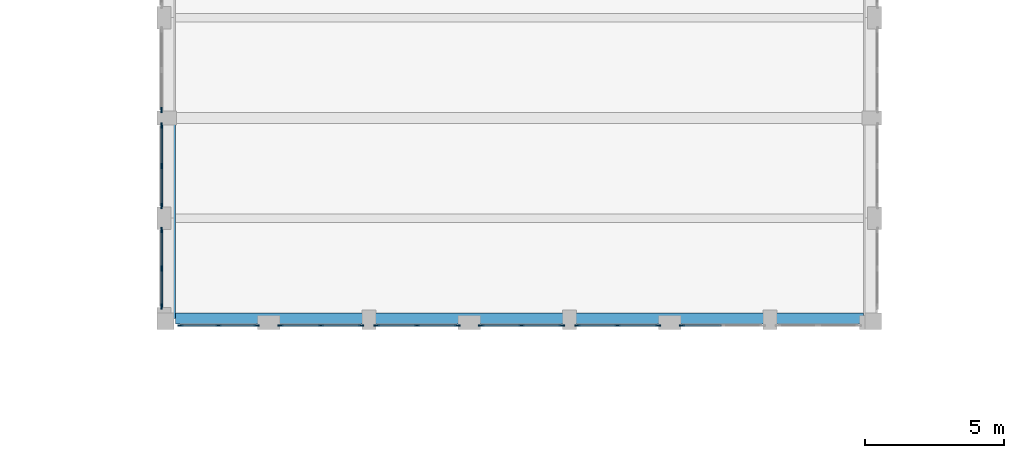
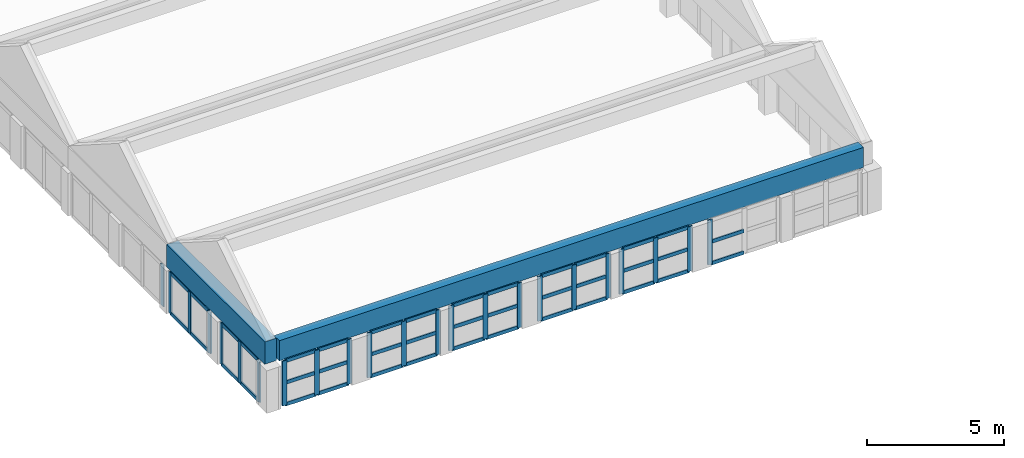
# One storey, part 2 of 38: 63 members, 2 beams, 9 elements without a shape of their own.
"""IFC4 building model written with IfcOpenShell, lengths in metres."""

from ifc_helpers import new_model, si_unit, direction, frame, origin, origin_2d, place, context, subcontext, project, spatial, rectangle, extrude, material, layer, layer_set, material_profile, profile_set, type_object, element, aggregate, save


model = new_model("IFC4")

# Units and contexts
model_context = context("Model", 3, precision=1e-05, world=origin(), true_north=direction((0.0, 1.0)))
body_context = subcontext(model_context, "Body", "Model", "MODEL_VIEW")
ifc_project = project(units=[si_unit("LENGTHUNIT", "METRE"), si_unit("AREAUNIT", "SQUARE_METRE"), si_unit("VOLUMEUNIT", "CUBIC_METRE"), si_unit("PLANEANGLEUNIT", "RADIAN"), si_unit("MASSUNIT", "GRAM", prefix="KILO")], contexts=[model_context])

# Site, building, storey
site_placement = place(None, origin())
site = spatial("IfcSite", under=ifc_project, at=site_placement, CompositionType="ELEMENT")
building_placement = place(site_placement, origin())
building = spatial("IfcBuilding", under=site, at=building_placement, Name="Ussher Court Research Institute", CompositionType="ELEMENT")
storey_placement = place(building_placement, frame((0.0, 0.0, 23.39990234375)))
storey = spatial("IfcBuildingStorey", under=building, at=storey_placement, Name="L05", CompositionType="ELEMENT", Elevation=23.39990234375)

# Curtain wall, member
ifc_material_1 = material(Name="Bronze anodised aluminium with low-e glass", Category="aluminium")
ifc_layer = layer(ifc_material_1, 0.159912109375)
ifc_layer_set = layer_set([ifc_layer], Name="Bronze anodised aluminium with low-e glass")
curtain_wall_type = type_object("IfcCurtainWallType", Name="Curtain wall atrium clerestory tall glazing", PredefinedType="NOTDEFINED", material=ifc_layer_set)
curtain_wall_1_placement = place(storey_placement, origin())
curtain_wall_1 = element("IfcCurtainWall", 1, at=curtain_wall_1_placement, inside=storey, type_object=curtain_wall_type, Name="Curtain wall CW3 L05", PredefinedType="NOTDEFINED")
ifc_material_2 = material(Name="Bronze anodised aluminium", Category="aluminium")
ifc_material_profile_1 = material_profile(ifc_material_2, rectangle(XDim=0.06005859375, YDim=0.199951171875, at=origin_2d()), Name="Mullion 60x200")
ifc_profile_set_1 = profile_set([ifc_material_profile_1], Name="Bronze anodised aluminium")
member_type_1 = type_object("IfcMemberType", Name="Mullion 60x200", PredefinedType="MULLION", material=ifc_profile_set_1)
member_1_placement = place(storey_placement, frame((57.429931640625, 10.949951171875, 0.0), z_axis=(0.0, 0.0, 1.0), x_axis=(0.0, -1.0, 0.0)))
member_1 = element("IfcMember", 2, at=member_1_placement, type_object=member_type_1, Name="CW3 mullion 3", PredefinedType="MULLION", context=body_context, shape_type="SweptSolid", body=[
    extrude(rectangle(XDim=0.06005859375, YDim=0.199951171875, at=origin_2d()), origin(), (0.0, 0.0, 1.0), 2.0),
])

# Curtain wall, members
curtain_wall_2_placement = place(storey_placement, origin())
curtain_wall_2 = element("IfcCurtainWall", 3, at=curtain_wall_2_placement, inside=storey, type_object=curtain_wall_type, Name="Curtain wall CW3 L05", PredefinedType="NOTDEFINED")
member_2_placement = place(storey_placement, frame((56.570068359375, 10.949951171875, 0.0), z_axis=(0.0, 0.0, 1.0), x_axis=(0.0, -1.0, 0.0)))
member_2 = element("IfcMember", 4, at=member_2_placement, type_object=member_type_1, Name="CW3 mullion 1", PredefinedType="MULLION", context=body_context, shape_type="SweptSolid", body=[
    extrude(rectangle(XDim=0.06005859375, YDim=0.199951171875, at=origin_2d()), origin(), (0.0, 0.0, 1.0), 2.0),
])
member_3_placement = place(storey_placement, frame((55.125, 10.949951171875, 0.0), z_axis=(0.0, 0.0, 1.0), x_axis=(0.0, -1.0, 0.0)))
member_3 = element("IfcMember", 5, at=member_3_placement, type_object=member_type_1, Name="CW3 mullion 2", PredefinedType="MULLION", context=body_context, shape_type="SweptSolid", body=[
    extrude(rectangle(XDim=0.06005859375, YDim=0.199951171875, at=origin_2d()), origin(), (0.0, 0.0, 1.0), 2.0),
])
member_4_placement = place(storey_placement, frame((53.679931640625, 10.949951171875, 0.0), z_axis=(0.0, 0.0, 1.0), x_axis=(0.0, -1.0, 0.0)))
member_4 = element("IfcMember", 6, at=member_4_placement, type_object=member_type_1, Name="CW3 mullion 3", PredefinedType="MULLION", context=body_context, shape_type="SweptSolid", body=[
    extrude(rectangle(XDim=0.06005859375, YDim=0.199951171875, at=origin_2d()), origin(), (0.0, 0.0, 1.0), 2.0),
])

curtain_wall_3_placement = place(storey_placement, origin())
curtain_wall_3 = element("IfcCurtainWall", 7, at=curtain_wall_3_placement, inside=storey, type_object=curtain_wall_type, Name="Curtain wall CW3 L05", PredefinedType="NOTDEFINED")
member_5_placement = place(storey_placement, frame((53.1201171875, 10.949951171875, 0.0), z_axis=(0.0, 0.0, 1.0), x_axis=(0.0, -1.0, 0.0)))
member_5 = element("IfcMember", 8, at=member_5_placement, type_object=member_type_1, Name="CW3 mullion 1", PredefinedType="MULLION", context=body_context, shape_type="SweptSolid", body=[
    extrude(rectangle(XDim=0.06005859375, YDim=0.199951171875, at=origin_2d()), origin(), (0.0, 0.0, 1.0), 2.0),
])
member_6_placement = place(storey_placement, frame((51.675048828125, 10.949951171875, 0.0), z_axis=(0.0, 0.0, 1.0), x_axis=(0.0, -1.0, 0.0)))
member_6 = element("IfcMember", 9, at=member_6_placement, type_object=member_type_1, Name="CW3 mullion 2", PredefinedType="MULLION", context=body_context, shape_type="SweptSolid", body=[
    extrude(rectangle(XDim=0.06005859375, YDim=0.199951171875, at=origin_2d()), origin(), (0.0, 0.0, 1.0), 2.0),
])
member_7_placement = place(storey_placement, frame((50.22998046875, 10.949951171875, 0.0), z_axis=(0.0, 0.0, 1.0), x_axis=(0.0, -1.0, 0.0)))
member_7 = element("IfcMember", 10, at=member_7_placement, type_object=member_type_1, Name="CW3 mullion 3", PredefinedType="MULLION", context=body_context, shape_type="SweptSolid", body=[
    extrude(rectangle(XDim=0.06005859375, YDim=0.199951171875, at=origin_2d()), origin(), (0.0, 0.0, 1.0), 2.0),
])

curtain_wall_4_placement = place(storey_placement, origin())
curtain_wall_4 = element("IfcCurtainWall", 11, at=curtain_wall_4_placement, inside=storey, type_object=curtain_wall_type, Name="Curtain wall CW3 L05", PredefinedType="NOTDEFINED")
member_8_placement = place(storey_placement, frame((49.3701171875, 10.949951171875, 0.0), z_axis=(0.0, 0.0, 1.0), x_axis=(0.0, -1.0, 0.0)))
member_8 = element("IfcMember", 12, at=member_8_placement, type_object=member_type_1, Name="CW3 mullion 1", PredefinedType="MULLION", context=body_context, shape_type="SweptSolid", body=[
    extrude(rectangle(XDim=0.06005859375, YDim=0.199951171875, at=origin_2d()), origin(), (0.0, 0.0, 1.0), 2.0),
])
member_9_placement = place(storey_placement, frame((47.925048828125, 10.949951171875, 0.0), z_axis=(0.0, 0.0, 1.0), x_axis=(0.0, -1.0, 0.0)))
member_9 = element("IfcMember", 13, at=member_9_placement, type_object=member_type_1, Name="CW3 mullion 2", PredefinedType="MULLION", context=body_context, shape_type="SweptSolid", body=[
    extrude(rectangle(XDim=0.06005859375, YDim=0.199951171875, at=origin_2d()), origin(), (0.0, 0.0, 1.0), 2.0),
])
member_10_placement = place(storey_placement, frame((46.47998046875, 10.949951171875, 0.0), z_axis=(0.0, 0.0, 1.0), x_axis=(0.0, -1.0, 0.0)))
member_10 = element("IfcMember", 14, at=member_10_placement, type_object=member_type_1, Name="CW3 mullion 3", PredefinedType="MULLION", context=body_context, shape_type="SweptSolid", body=[
    extrude(rectangle(XDim=0.06005859375, YDim=0.199951171875, at=origin_2d()), origin(), (0.0, 0.0, 1.0), 2.0),
])

curtain_wall_5_placement = place(storey_placement, origin())
curtain_wall_5 = element("IfcCurtainWall", 15, at=curtain_wall_5_placement, inside=storey, type_object=curtain_wall_type, Name="Curtain wall CW3 L05", PredefinedType="NOTDEFINED")
member_11_placement = place(storey_placement, frame((45.919921875, 10.949951171875, 0.0), z_axis=(0.0, 0.0, 1.0), x_axis=(0.0, -1.0, 0.0)))
member_11 = element("IfcMember", 16, at=member_11_placement, type_object=member_type_1, Name="CW3 mullion 1", PredefinedType="MULLION", context=body_context, shape_type="SweptSolid", body=[
    extrude(rectangle(XDim=0.06005859375, YDim=0.199951171875, at=origin_2d()), origin(), (0.0, 0.0, 1.0), 2.0),
])
member_12_placement = place(storey_placement, frame((44.47509765625, 10.949951171875, 0.0), z_axis=(0.0, 0.0, 1.0), x_axis=(0.0, -1.0, 0.0)))
member_12 = element("IfcMember", 17, at=member_12_placement, type_object=member_type_1, Name="CW3 mullion 2", PredefinedType="MULLION", context=body_context, shape_type="SweptSolid", body=[
    extrude(rectangle(XDim=0.06005859375, YDim=0.199951171875, at=origin_2d()), origin(), (0.0, 0.0, 1.0), 2.0),
])
member_13_placement = place(storey_placement, frame((43.030029296875, 10.949951171875, 0.0), z_axis=(0.0, 0.0, 1.0), x_axis=(0.0, -1.0, 0.0)))
member_13 = element("IfcMember", 18, at=member_13_placement, type_object=member_type_1, Name="CW3 mullion 3", PredefinedType="MULLION", context=body_context, shape_type="SweptSolid", body=[
    extrude(rectangle(XDim=0.06005859375, YDim=0.199951171875, at=origin_2d()), origin(), (0.0, 0.0, 1.0), 2.0),
])

curtain_wall_6_placement = place(storey_placement, origin())
curtain_wall_6 = element("IfcCurtainWall", 19, at=curtain_wall_6_placement, inside=storey, type_object=curtain_wall_type, Name="Curtain wall CW3 L05", PredefinedType="NOTDEFINED")
member_14_placement = place(storey_placement, frame((42.169921875, 10.949951171875, 0.0), z_axis=(0.0, 0.0, 1.0), x_axis=(0.0, -1.0, 0.0)))
member_14 = element("IfcMember", 20, at=member_14_placement, type_object=member_type_1, Name="CW3 mullion 1", PredefinedType="MULLION", context=body_context, shape_type="SweptSolid", body=[
    extrude(rectangle(XDim=0.06005859375, YDim=0.199951171875, at=origin_2d()), origin(), (0.0, 0.0, 1.0), 2.0),
])
member_15_placement = place(storey_placement, frame((40.800048828125, 10.949951171875, 0.0), z_axis=(0.0, 0.0, 1.0), x_axis=(0.0, -1.0, 0.0)))
member_15 = element("IfcMember", 21, at=member_15_placement, type_object=member_type_1, Name="CW3 mullion 2", PredefinedType="MULLION", context=body_context, shape_type="SweptSolid", body=[
    extrude(rectangle(XDim=0.06005859375, YDim=0.199951171875, at=origin_2d()), origin(), (0.0, 0.0, 1.0), 2.0),
])
member_16_placement = place(storey_placement, frame((39.429931640625, 10.949951171875, 0.0), z_axis=(0.0, 0.0, 1.0), x_axis=(0.0, -1.0, 0.0)))
member_16 = element("IfcMember", 22, at=member_16_placement, type_object=member_type_1, Name="CW3 mullion 3", PredefinedType="MULLION", context=body_context, shape_type="SweptSolid", body=[
    extrude(rectangle(XDim=0.06005859375, YDim=0.199951171875, at=origin_2d()), origin(), (0.0, 0.0, 1.0), 2.0),
])

curtain_wall_7_placement = place(storey_placement, origin())
curtain_wall_7 = element("IfcCurtainWall", 23, at=curtain_wall_7_placement, inside=storey, type_object=curtain_wall_type, Name="Curtain wall CW3 L05", PredefinedType="NOTDEFINED")
member_17_placement = place(storey_placement, frame((38.75, 11.6298828125, 0.0), z_axis=(0.0, 0.0, 1.0), x_axis=(-1.0, 0.0, 0.0)))
member_17 = element("IfcMember", 24, at=member_17_placement, type_object=member_type_1, Name="CW3 mullion 1", PredefinedType="MULLION", context=body_context, shape_type="SweptSolid", body=[
    extrude(rectangle(XDim=0.06005859375, YDim=0.199951171875, at=origin_2d()), origin(), (0.0, 0.0, 1.0), 1.85009765625),
])
member_18_placement = place(storey_placement, frame((38.75, 13.0, 0.0), z_axis=(0.0, 0.0, 1.0), x_axis=(-1.0, 0.0, 0.0)))
member_18 = element("IfcMember", 25, at=member_18_placement, type_object=member_type_1, Name="CW3 mullion 2", PredefinedType="MULLION", context=body_context, shape_type="SweptSolid", body=[
    extrude(rectangle(XDim=0.06005859375, YDim=0.199951171875, at=origin_2d()), origin(), (0.0, 0.0, 1.0), 1.85009765625),
])
member_19_placement = place(storey_placement, frame((38.75, 14.3701171875, 0.0), z_axis=(0.0, 0.0, 1.0), x_axis=(-1.0, 0.0, 0.0)))
member_19 = element("IfcMember", 26, at=member_19_placement, type_object=member_type_1, Name="CW3 mullion 3", PredefinedType="MULLION", context=body_context, shape_type="SweptSolid", body=[
    extrude(rectangle(XDim=0.06005859375, YDim=0.199951171875, at=origin_2d()), origin(), (0.0, 0.0, 1.0), 1.85009765625),
])

curtain_wall_8_placement = place(storey_placement, origin())
curtain_wall_8 = element("IfcCurtainWall", 27, at=curtain_wall_8_placement, inside=storey, type_object=curtain_wall_type, Name="Curtain wall CW3 L05", PredefinedType="NOTDEFINED")
member_20_placement = place(storey_placement, frame((38.75, 15.22998046875, 0.0), z_axis=(0.0, 0.0, 1.0), x_axis=(-1.0, 0.0, 0.0)))
member_20 = element("IfcMember", 28, at=member_20_placement, type_object=member_type_1, Name="CW3 mullion 1", PredefinedType="MULLION", context=body_context, shape_type="SweptSolid", body=[
    extrude(rectangle(XDim=0.06005859375, YDim=0.199951171875, at=origin_2d()), origin(), (0.0, 0.0, 1.0), 1.85009765625),
])
member_21_placement = place(storey_placement, frame((38.75, 16.675048828125, 0.0), z_axis=(0.0, 0.0, 1.0), x_axis=(-1.0, 0.0, 0.0)))
member_21 = element("IfcMember", 29, at=member_21_placement, type_object=member_type_1, Name="CW3 mullion 2", PredefinedType="MULLION", context=body_context, shape_type="SweptSolid", body=[
    extrude(rectangle(XDim=0.06005859375, YDim=0.199951171875, at=origin_2d()), origin(), (0.0, 0.0, 1.0), 1.85009765625),
])
member_22_placement = place(storey_placement, frame((38.75, 18.1201171875, 0.0), z_axis=(0.0, 0.0, 1.0), x_axis=(-1.0, 0.0, 0.0)))
member_22 = element("IfcMember", 30, at=member_22_placement, type_object=member_type_1, Name="CW3 mullion 3", PredefinedType="MULLION", context=body_context, shape_type="SweptSolid", body=[
    extrude(rectangle(XDim=0.06005859375, YDim=0.199951171875, at=origin_2d()), origin(), (0.0, 0.0, 1.0), 1.85009765625),
])

# Curtain wall, member
curtain_wall_9_placement = place(storey_placement, origin())
curtain_wall_9 = element("IfcCurtainWall", 31, at=curtain_wall_9_placement, inside=storey, type_object=curtain_wall_type, Name="Curtain wall CW3 L05", PredefinedType="NOTDEFINED")
member_23_placement = place(storey_placement, frame((38.75, 18.679931640625, 0.0), z_axis=(0.0, 0.0, 1.0), x_axis=(-1.0, 0.0, 0.0)))
member_23 = element("IfcMember", 32, at=member_23_placement, type_object=member_type_1, Name="CW3 mullion 1", PredefinedType="MULLION", context=body_context, shape_type="SweptSolid", body=[
    extrude(rectangle(XDim=0.06005859375, YDim=0.199951171875, at=origin_2d()), origin(), (0.0, 0.0, 1.0), 1.85009765625),
])
aggregate(curtain_wall_9, [member_23])

# Beams
ifc_material_3 = material(Name="Concrete C35/45", Category="concrete")
ifc_material_profile_2 = material_profile(ifc_material_3, rectangle(XDim=0.39990234375, YDim=0.89990234375, at=origin_2d()), Name="RC 400x900")
ifc_profile_set_2 = profile_set([ifc_material_profile_2], Name="Concrete C35/45")
beam_type_1 = type_object("IfcBeamType", Name="RC 400x900 beam", PredefinedType="BEAM", material=ifc_profile_set_2)
beam_1_placement = place(storey_placement, frame((39.25, 11.199951171875, 2.455322265625), z_axis=(1.0, 0.0, 0.0), x_axis=(0.0, 1.0, 0.0)))
element("IfcBeam", 33, at=beam_1_placement, inside=storey, type_object=beam_type_1, Name="B8 V2 L05-01", PredefinedType="BEAM", context=body_context, shape_type="SweptSolid", body=[
    extrude(rectangle(XDim=0.39990234375, YDim=0.89990234375, at=origin_2d()), origin(), (0.0, 0.0, 1.0), 24.699951171875),
])
ifc_material_4 = material(Name="Concrete C35/45", Category="concrete")
ifc_material_profile_3 = material_profile(ifc_material_4, rectangle(XDim=0.5, YDim=1.0, at=origin_2d()), Name="RC 500x1000")
ifc_profile_set_3 = profile_set([ifc_material_profile_3], Name="Concrete C35/45")
beam_type_2 = type_object("IfcBeamType", Name="RC 500x1000 beam", PredefinedType="BEAM", material=ifc_profile_set_3)
beam_2_placement = place(storey_placement, frame((39.0, 11.199951171875, 2.4052734375), z_axis=(0.0, 1.0, 0.0), x_axis=(-1.0, 0.0, 0.0)))
element("IfcBeam", 34, at=beam_2_placement, inside=storey, type_object=beam_type_2, Name="B12 V2 L05-01", PredefinedType="BEAM", context=body_context, shape_type="SweptSolid", body=[
    extrude(rectangle(XDim=0.5, YDim=1.0, at=origin_2d()), origin(), (0.0, 0.0, 1.0), 7.199951171875),
])

# Member
ifc_material_5 = material(Name="Bronze anodised aluminium", Category="aluminium")
ifc_material_profile_4 = material_profile(ifc_material_5, rectangle(XDim=0.06005859375, YDim=0.159912109375, at=origin_2d()), Name="Transom 60x160")
ifc_profile_set_4 = profile_set([ifc_material_profile_4], Name="Bronze anodised aluminium")
member_type_2 = type_object("IfcMemberType", Name="Transom 60x160", PredefinedType="USERDEFINED", material=ifc_profile_set_4)
member_24_placement = place(storey_placement, frame((58.844970703125, 10.949951171875, 0.030029296875), z_axis=(-1.0, 0.0, 0.0), x_axis=(0.0, -1.0, 0.0)))
member_24 = element("IfcMember", 35, at=member_24_placement, type_object=member_type_2, Name="CW3 transom 2.1", ObjectType="TRANSOM", PredefinedType="USERDEFINED", context=body_context, shape_type="SweptSolid", body=[
    extrude(rectangle(XDim=0.06005859375, YDim=0.159912109375, at=origin_2d()), origin(), (0.0, 0.0, 1.0), 1.385009765625),
])

member_25_placement = place(storey_placement, frame((58.844970703125, 10.949951171875, 1.0), z_axis=(-1.0, 0.0, 0.0), x_axis=(0.0, -1.0, 0.0)))
member_25 = element("IfcMember", 36, at=member_25_placement, type_object=member_type_2, Name="CW3 transom 2.2", ObjectType="TRANSOM", PredefinedType="USERDEFINED", context=body_context, shape_type="SweptSolid", body=[
    extrude(rectangle(XDim=0.06005859375, YDim=0.159912109375, at=origin_2d()), origin(), (0.0, 0.0, 1.0), 1.385009765625),
])

aggregate(curtain_wall_1, [member_1, member_24, member_25])

member_26_placement = place(storey_placement, frame((56.5400390625, 10.949951171875, 0.030029296875), z_axis=(-1.0, 0.0, 0.0), x_axis=(0.0, -1.0, 0.0)))
member_26 = element("IfcMember", 37, at=member_26_placement, type_object=member_type_2, Name="CW3 transom 1.1", ObjectType="TRANSOM", PredefinedType="USERDEFINED", context=body_context, shape_type="SweptSolid", body=[
    extrude(rectangle(XDim=0.06005859375, YDim=0.159912109375, at=origin_2d()), origin(), (0.0, 0.0, 1.0), 1.385009765625),
])

member_27_placement = place(storey_placement, frame((56.5400390625, 10.949951171875, 1.0), z_axis=(-1.0, 0.0, 0.0), x_axis=(0.0, -1.0, 0.0)))
member_27 = element("IfcMember", 38, at=member_27_placement, type_object=member_type_2, Name="CW3 transom 1.2", ObjectType="TRANSOM", PredefinedType="USERDEFINED", context=body_context, shape_type="SweptSolid", body=[
    extrude(rectangle(XDim=0.06005859375, YDim=0.159912109375, at=origin_2d()), origin(), (0.0, 0.0, 1.0), 1.385009765625),
])

member_28_placement = place(storey_placement, frame((56.5400390625, 10.949951171875, 1.97021484375), z_axis=(-1.0, 0.0, 0.0), x_axis=(0.0, -1.0, 0.0)))
member_28 = element("IfcMember", 39, at=member_28_placement, type_object=member_type_2, Name="CW3 transom 1.3", ObjectType="TRANSOM", PredefinedType="USERDEFINED", context=body_context, shape_type="SweptSolid", body=[
    extrude(rectangle(XDim=0.06005859375, YDim=0.159912109375, at=origin_2d()), origin(), (0.0, 0.0, 1.0), 1.385009765625),
])

member_29_placement = place(storey_placement, frame((55.094970703125, 10.949951171875, 0.030029296875), z_axis=(-1.0, 0.0, 0.0), x_axis=(0.0, -1.0, 0.0)))
member_29 = element("IfcMember", 40, at=member_29_placement, type_object=member_type_2, Name="CW3 transom 2.1", ObjectType="TRANSOM", PredefinedType="USERDEFINED", context=body_context, shape_type="SweptSolid", body=[
    extrude(rectangle(XDim=0.06005859375, YDim=0.159912109375, at=origin_2d()), origin(), (0.0, 0.0, 1.0), 1.385009765625),
])

member_30_placement = place(storey_placement, frame((55.094970703125, 10.949951171875, 1.0), z_axis=(-1.0, 0.0, 0.0), x_axis=(0.0, -1.0, 0.0)))
member_30 = element("IfcMember", 41, at=member_30_placement, type_object=member_type_2, Name="CW3 transom 2.2", ObjectType="TRANSOM", PredefinedType="USERDEFINED", context=body_context, shape_type="SweptSolid", body=[
    extrude(rectangle(XDim=0.06005859375, YDim=0.159912109375, at=origin_2d()), origin(), (0.0, 0.0, 1.0), 1.385009765625),
])

member_31_placement = place(storey_placement, frame((55.094970703125, 10.949951171875, 1.97021484375), z_axis=(-1.0, 0.0, 0.0), x_axis=(0.0, -1.0, 0.0)))
member_31 = element("IfcMember", 42, at=member_31_placement, type_object=member_type_2, Name="CW3 transom 2.3", ObjectType="TRANSOM", PredefinedType="USERDEFINED", context=body_context, shape_type="SweptSolid", body=[
    extrude(rectangle(XDim=0.06005859375, YDim=0.159912109375, at=origin_2d()), origin(), (0.0, 0.0, 1.0), 1.385009765625),
])

aggregate(curtain_wall_2, [member_2, member_3, member_4, member_26, member_27, member_28, member_29, member_30, member_31])

member_32_placement = place(storey_placement, frame((53.090087890625, 10.949951171875, 0.030029296875), z_axis=(-1.0, 0.0, 0.0), x_axis=(0.0, -1.0, 0.0)))
member_32 = element("IfcMember", 43, at=member_32_placement, type_object=member_type_2, Name="CW3 transom 1.1", ObjectType="TRANSOM", PredefinedType="USERDEFINED", context=body_context, shape_type="SweptSolid", body=[
    extrude(rectangle(XDim=0.06005859375, YDim=0.159912109375, at=origin_2d()), origin(), (0.0, 0.0, 1.0), 1.385009765625),
])

member_33_placement = place(storey_placement, frame((53.090087890625, 10.949951171875, 1.0), z_axis=(-1.0, 0.0, 0.0), x_axis=(0.0, -1.0, 0.0)))
member_33 = element("IfcMember", 44, at=member_33_placement, type_object=member_type_2, Name="CW3 transom 1.2", ObjectType="TRANSOM", PredefinedType="USERDEFINED", context=body_context, shape_type="SweptSolid", body=[
    extrude(rectangle(XDim=0.06005859375, YDim=0.159912109375, at=origin_2d()), origin(), (0.0, 0.0, 1.0), 1.385009765625),
])

member_34_placement = place(storey_placement, frame((53.090087890625, 10.949951171875, 1.97021484375), z_axis=(-1.0, 0.0, 0.0), x_axis=(0.0, -1.0, 0.0)))
member_34 = element("IfcMember", 45, at=member_34_placement, type_object=member_type_2, Name="CW3 transom 1.3", ObjectType="TRANSOM", PredefinedType="USERDEFINED", context=body_context, shape_type="SweptSolid", body=[
    extrude(rectangle(XDim=0.06005859375, YDim=0.159912109375, at=origin_2d()), origin(), (0.0, 0.0, 1.0), 1.385009765625),
])

member_35_placement = place(storey_placement, frame((51.64501953125, 10.949951171875, 0.030029296875), z_axis=(-1.0, 0.0, 0.0), x_axis=(0.0, -1.0, 0.0)))
member_35 = element("IfcMember", 46, at=member_35_placement, type_object=member_type_2, Name="CW3 transom 2.1", ObjectType="TRANSOM", PredefinedType="USERDEFINED", context=body_context, shape_type="SweptSolid", body=[
    extrude(rectangle(XDim=0.06005859375, YDim=0.159912109375, at=origin_2d()), origin(), (0.0, 0.0, 1.0), 1.385009765625),
])

member_36_placement = place(storey_placement, frame((51.64501953125, 10.949951171875, 1.0), z_axis=(-1.0, 0.0, 0.0), x_axis=(0.0, -1.0, 0.0)))
member_36 = element("IfcMember", 47, at=member_36_placement, type_object=member_type_2, Name="CW3 transom 2.2", ObjectType="TRANSOM", PredefinedType="USERDEFINED", context=body_context, shape_type="SweptSolid", body=[
    extrude(rectangle(XDim=0.06005859375, YDim=0.159912109375, at=origin_2d()), origin(), (0.0, 0.0, 1.0), 1.385009765625),
])

member_37_placement = place(storey_placement, frame((51.64501953125, 10.949951171875, 1.97021484375), z_axis=(-1.0, 0.0, 0.0), x_axis=(0.0, -1.0, 0.0)))
member_37 = element("IfcMember", 48, at=member_37_placement, type_object=member_type_2, Name="CW3 transom 2.3", ObjectType="TRANSOM", PredefinedType="USERDEFINED", context=body_context, shape_type="SweptSolid", body=[
    extrude(rectangle(XDim=0.06005859375, YDim=0.159912109375, at=origin_2d()), origin(), (0.0, 0.0, 1.0), 1.385009765625),
])

aggregate(curtain_wall_3, [member_5, member_6, member_7, member_32, member_33, member_34, member_35, member_36, member_37])

member_38_placement = place(storey_placement, frame((49.340087890625, 10.949951171875, 0.030029296875), z_axis=(-1.0, 0.0, 0.0), x_axis=(0.0, -1.0, 0.0)))
member_38 = element("IfcMember", 49, at=member_38_placement, type_object=member_type_2, Name="CW3 transom 1.1", ObjectType="TRANSOM", PredefinedType="USERDEFINED", context=body_context, shape_type="SweptSolid", body=[
    extrude(rectangle(XDim=0.06005859375, YDim=0.159912109375, at=origin_2d()), origin(), (0.0, 0.0, 1.0), 1.385009765625),
])

member_39_placement = place(storey_placement, frame((49.340087890625, 10.949951171875, 1.0), z_axis=(-1.0, 0.0, 0.0), x_axis=(0.0, -1.0, 0.0)))
member_39 = element("IfcMember", 50, at=member_39_placement, type_object=member_type_2, Name="CW3 transom 1.2", ObjectType="TRANSOM", PredefinedType="USERDEFINED", context=body_context, shape_type="SweptSolid", body=[
    extrude(rectangle(XDim=0.06005859375, YDim=0.159912109375, at=origin_2d()), origin(), (0.0, 0.0, 1.0), 1.385009765625),
])

member_40_placement = place(storey_placement, frame((49.340087890625, 10.949951171875, 1.97021484375), z_axis=(-1.0, 0.0, 0.0), x_axis=(0.0, -1.0, 0.0)))
member_40 = element("IfcMember", 51, at=member_40_placement, type_object=member_type_2, Name="CW3 transom 1.3", ObjectType="TRANSOM", PredefinedType="USERDEFINED", context=body_context, shape_type="SweptSolid", body=[
    extrude(rectangle(XDim=0.06005859375, YDim=0.159912109375, at=origin_2d()), origin(), (0.0, 0.0, 1.0), 1.385009765625),
])

member_41_placement = place(storey_placement, frame((47.89501953125, 10.949951171875, 0.030029296875), z_axis=(-1.0, 0.0, 0.0), x_axis=(0.0, -1.0, 0.0)))
member_41 = element("IfcMember", 52, at=member_41_placement, type_object=member_type_2, Name="CW3 transom 2.1", ObjectType="TRANSOM", PredefinedType="USERDEFINED", context=body_context, shape_type="SweptSolid", body=[
    extrude(rectangle(XDim=0.06005859375, YDim=0.159912109375, at=origin_2d()), origin(), (0.0, 0.0, 1.0), 1.385009765625),
])

member_42_placement = place(storey_placement, frame((47.89501953125, 10.949951171875, 1.0), z_axis=(-1.0, 0.0, 0.0), x_axis=(0.0, -1.0, 0.0)))
member_42 = element("IfcMember", 53, at=member_42_placement, type_object=member_type_2, Name="CW3 transom 2.2", ObjectType="TRANSOM", PredefinedType="USERDEFINED", context=body_context, shape_type="SweptSolid", body=[
    extrude(rectangle(XDim=0.06005859375, YDim=0.159912109375, at=origin_2d()), origin(), (0.0, 0.0, 1.0), 1.385009765625),
])

member_43_placement = place(storey_placement, frame((47.89501953125, 10.949951171875, 1.97021484375), z_axis=(-1.0, 0.0, 0.0), x_axis=(0.0, -1.0, 0.0)))
member_43 = element("IfcMember", 54, at=member_43_placement, type_object=member_type_2, Name="CW3 transom 2.3", ObjectType="TRANSOM", PredefinedType="USERDEFINED", context=body_context, shape_type="SweptSolid", body=[
    extrude(rectangle(XDim=0.06005859375, YDim=0.159912109375, at=origin_2d()), origin(), (0.0, 0.0, 1.0), 1.385009765625),
])

aggregate(curtain_wall_4, [member_8, member_9, member_10, member_38, member_39, member_40, member_41, member_42, member_43])

member_44_placement = place(storey_placement, frame((45.889892578125, 10.949951171875, 0.030029296875), z_axis=(-1.0, 0.0, 0.0), x_axis=(0.0, -1.0, 0.0)))
member_44 = element("IfcMember", 55, at=member_44_placement, type_object=member_type_2, Name="CW3 transom 1.1", ObjectType="TRANSOM", PredefinedType="USERDEFINED", context=body_context, shape_type="SweptSolid", body=[
    extrude(rectangle(XDim=0.06005859375, YDim=0.159912109375, at=origin_2d()), origin(), (0.0, 0.0, 1.0), 1.385009765625),
])

member_45_placement = place(storey_placement, frame((45.889892578125, 10.949951171875, 1.0), z_axis=(-1.0, 0.0, 0.0), x_axis=(0.0, -1.0, 0.0)))
member_45 = element("IfcMember", 56, at=member_45_placement, type_object=member_type_2, Name="CW3 transom 1.2", ObjectType="TRANSOM", PredefinedType="USERDEFINED", context=body_context, shape_type="SweptSolid", body=[
    extrude(rectangle(XDim=0.06005859375, YDim=0.159912109375, at=origin_2d()), origin(), (0.0, 0.0, 1.0), 1.385009765625),
])

member_46_placement = place(storey_placement, frame((45.889892578125, 10.949951171875, 1.97021484375), z_axis=(-1.0, 0.0, 0.0), x_axis=(0.0, -1.0, 0.0)))
member_46 = element("IfcMember", 57, at=member_46_placement, type_object=member_type_2, Name="CW3 transom 1.3", ObjectType="TRANSOM", PredefinedType="USERDEFINED", context=body_context, shape_type="SweptSolid", body=[
    extrude(rectangle(XDim=0.06005859375, YDim=0.159912109375, at=origin_2d()), origin(), (0.0, 0.0, 1.0), 1.385009765625),
])

member_47_placement = place(storey_placement, frame((44.445068359375, 10.949951171875, 0.030029296875), z_axis=(-1.0, 0.0, 0.0), x_axis=(0.0, -1.0, 0.0)))
member_47 = element("IfcMember", 58, at=member_47_placement, type_object=member_type_2, Name="CW3 transom 2.1", ObjectType="TRANSOM", PredefinedType="USERDEFINED", context=body_context, shape_type="SweptSolid", body=[
    extrude(rectangle(XDim=0.06005859375, YDim=0.159912109375, at=origin_2d()), origin(), (0.0, 0.0, 1.0), 1.385009765625),
])

member_48_placement = place(storey_placement, frame((44.445068359375, 10.949951171875, 1.0), z_axis=(-1.0, 0.0, 0.0), x_axis=(0.0, -1.0, 0.0)))
member_48 = element("IfcMember", 59, at=member_48_placement, type_object=member_type_2, Name="CW3 transom 2.2", ObjectType="TRANSOM", PredefinedType="USERDEFINED", context=body_context, shape_type="SweptSolid", body=[
    extrude(rectangle(XDim=0.06005859375, YDim=0.159912109375, at=origin_2d()), origin(), (0.0, 0.0, 1.0), 1.385009765625),
])

member_49_placement = place(storey_placement, frame((44.445068359375, 10.949951171875, 1.97021484375), z_axis=(-1.0, 0.0, 0.0), x_axis=(0.0, -1.0, 0.0)))
member_49 = element("IfcMember", 60, at=member_49_placement, type_object=member_type_2, Name="CW3 transom 2.3", ObjectType="TRANSOM", PredefinedType="USERDEFINED", context=body_context, shape_type="SweptSolid", body=[
    extrude(rectangle(XDim=0.06005859375, YDim=0.159912109375, at=origin_2d()), origin(), (0.0, 0.0, 1.0), 1.385009765625),
])

aggregate(curtain_wall_5, [member_11, member_12, member_13, member_44, member_45, member_46, member_47, member_48, member_49])

member_50_placement = place(storey_placement, frame((42.139892578125, 10.949951171875, 0.030029296875), z_axis=(-1.0, 0.0, 0.0), x_axis=(0.0, -1.0, 0.0)))
member_50 = element("IfcMember", 61, at=member_50_placement, type_object=member_type_2, Name="CW3 transom 1.1", ObjectType="TRANSOM", PredefinedType="USERDEFINED", context=body_context, shape_type="SweptSolid", body=[
    extrude(rectangle(XDim=0.06005859375, YDim=0.159912109375, at=origin_2d()), origin(), (0.0, 0.0, 1.0), 1.309814453125),
])

member_51_placement = place(storey_placement, frame((42.139892578125, 10.949951171875, 1.0), z_axis=(-1.0, 0.0, 0.0), x_axis=(0.0, -1.0, 0.0)))
member_51 = element("IfcMember", 62, at=member_51_placement, type_object=member_type_2, Name="CW3 transom 1.2", ObjectType="TRANSOM", PredefinedType="USERDEFINED", context=body_context, shape_type="SweptSolid", body=[
    extrude(rectangle(XDim=0.06005859375, YDim=0.159912109375, at=origin_2d()), origin(), (0.0, 0.0, 1.0), 1.309814453125),
])

member_52_placement = place(storey_placement, frame((42.139892578125, 10.949951171875, 1.97021484375), z_axis=(-1.0, 0.0, 0.0), x_axis=(0.0, -1.0, 0.0)))
member_52 = element("IfcMember", 63, at=member_52_placement, type_object=member_type_2, Name="CW3 transom 1.3", ObjectType="TRANSOM", PredefinedType="USERDEFINED", context=body_context, shape_type="SweptSolid", body=[
    extrude(rectangle(XDim=0.06005859375, YDim=0.159912109375, at=origin_2d()), origin(), (0.0, 0.0, 1.0), 1.309814453125),
])

member_53_placement = place(storey_placement, frame((40.77001953125, 10.949951171875, 0.030029296875), z_axis=(-1.0, 0.0, 0.0), x_axis=(0.0, -1.0, 0.0)))
member_53 = element("IfcMember", 64, at=member_53_placement, type_object=member_type_2, Name="CW3 transom 2.1", ObjectType="TRANSOM", PredefinedType="USERDEFINED", context=body_context, shape_type="SweptSolid", body=[
    extrude(rectangle(XDim=0.06005859375, YDim=0.159912109375, at=origin_2d()), origin(), (0.0, 0.0, 1.0), 1.31005859375),
])

member_54_placement = place(storey_placement, frame((40.77001953125, 10.949951171875, 1.0), z_axis=(-1.0, 0.0, 0.0), x_axis=(0.0, -1.0, 0.0)))
member_54 = element("IfcMember", 65, at=member_54_placement, type_object=member_type_2, Name="CW3 transom 2.2", ObjectType="TRANSOM", PredefinedType="USERDEFINED", context=body_context, shape_type="SweptSolid", body=[
    extrude(rectangle(XDim=0.06005859375, YDim=0.159912109375, at=origin_2d()), origin(), (0.0, 0.0, 1.0), 1.31005859375),
])

member_55_placement = place(storey_placement, frame((40.77001953125, 10.949951171875, 1.97021484375), z_axis=(-1.0, 0.0, 0.0), x_axis=(0.0, -1.0, 0.0)))
member_55 = element("IfcMember", 66, at=member_55_placement, type_object=member_type_2, Name="CW3 transom 2.3", ObjectType="TRANSOM", PredefinedType="USERDEFINED", context=body_context, shape_type="SweptSolid", body=[
    extrude(rectangle(XDim=0.06005859375, YDim=0.159912109375, at=origin_2d()), origin(), (0.0, 0.0, 1.0), 1.31005859375),
])

aggregate(curtain_wall_6, [member_14, member_15, member_16, member_50, member_51, member_52, member_53, member_54, member_55])

member_56_placement = place(storey_placement, frame((38.75, 11.659912109375, 0.030029296875), z_axis=(0.0, 1.0, 0.0), x_axis=(-1.0, 0.0, 0.0)))
member_56 = element("IfcMember", 67, at=member_56_placement, type_object=member_type_2, Name="CW3 transom 1.1", ObjectType="TRANSOM", PredefinedType="USERDEFINED", context=body_context, shape_type="SweptSolid", body=[
    extrude(rectangle(XDim=0.06005859375, YDim=0.159912109375, at=origin_2d()), origin(), (0.0, 0.0, 1.0), 1.31005859375),
])

member_57_placement = place(storey_placement, frame((38.75, 11.659912109375, 1.820068359375), z_axis=(0.0, 1.0, 0.0), x_axis=(-1.0, 0.0, 0.0)))
member_57 = element("IfcMember", 68, at=member_57_placement, type_object=member_type_2, Name="CW3 transom 1.2", ObjectType="TRANSOM", PredefinedType="USERDEFINED", context=body_context, shape_type="SweptSolid", body=[
    extrude(rectangle(XDim=0.06005859375, YDim=0.159912109375, at=origin_2d()), origin(), (0.0, 0.0, 1.0), 1.31005859375),
])

member_58_placement = place(storey_placement, frame((38.75, 13.030029296875, 0.030029296875), z_axis=(0.0, 1.0, 0.0), x_axis=(-1.0, 0.0, 0.0)))
member_58 = element("IfcMember", 69, at=member_58_placement, type_object=member_type_2, Name="CW3 transom 2.1", ObjectType="TRANSOM", PredefinedType="USERDEFINED", context=body_context, shape_type="SweptSolid", body=[
    extrude(rectangle(XDim=0.06005859375, YDim=0.159912109375, at=origin_2d()), origin(), (0.0, 0.0, 1.0), 1.31005859375),
])

member_59_placement = place(storey_placement, frame((38.75, 13.030029296875, 1.820068359375), z_axis=(0.0, 1.0, 0.0), x_axis=(-1.0, 0.0, 0.0)))
member_59 = element("IfcMember", 70, at=member_59_placement, type_object=member_type_2, Name="CW3 transom 2.2", ObjectType="TRANSOM", PredefinedType="USERDEFINED", context=body_context, shape_type="SweptSolid", body=[
    extrude(rectangle(XDim=0.06005859375, YDim=0.159912109375, at=origin_2d()), origin(), (0.0, 0.0, 1.0), 1.31005859375),
])

aggregate(curtain_wall_7, [member_17, member_18, member_19, member_56, member_57, member_58, member_59])

member_60_placement = place(storey_placement, frame((38.75, 15.260009765625, 0.030029296875), z_axis=(0.0, 1.0, 0.0), x_axis=(-1.0, 0.0, 0.0)))
member_60 = element("IfcMember", 71, at=member_60_placement, type_object=member_type_2, Name="CW3 transom 1.1", ObjectType="TRANSOM", PredefinedType="USERDEFINED", context=body_context, shape_type="SweptSolid", body=[
    extrude(rectangle(XDim=0.06005859375, YDim=0.159912109375, at=origin_2d()), origin(), (0.0, 0.0, 1.0), 1.385009765625),
])

member_61_placement = place(storey_placement, frame((38.75, 15.260009765625, 1.820068359375), z_axis=(0.0, 1.0, 0.0), x_axis=(-1.0, 0.0, 0.0)))
member_61 = element("IfcMember", 72, at=member_61_placement, type_object=member_type_2, Name="CW3 transom 1.2", ObjectType="TRANSOM", PredefinedType="USERDEFINED", context=body_context, shape_type="SweptSolid", body=[
    extrude(rectangle(XDim=0.06005859375, YDim=0.159912109375, at=origin_2d()), origin(), (0.0, 0.0, 1.0), 1.385009765625),
])

member_62_placement = place(storey_placement, frame((38.75, 16.705078125, 0.030029296875), z_axis=(0.0, 1.0, 0.0), x_axis=(-1.0, 0.0, 0.0)))
member_62 = element("IfcMember", 73, at=member_62_placement, type_object=member_type_2, Name="CW3 transom 2.1", ObjectType="TRANSOM", PredefinedType="USERDEFINED", context=body_context, shape_type="SweptSolid", body=[
    extrude(rectangle(XDim=0.06005859375, YDim=0.159912109375, at=origin_2d()), origin(), (0.0, 0.0, 1.0), 1.385009765625),
])

member_63_placement = place(storey_placement, frame((38.75, 16.705078125, 1.820068359375), z_axis=(0.0, 1.0, 0.0), x_axis=(-1.0, 0.0, 0.0)))
member_63 = element("IfcMember", 74, at=member_63_placement, type_object=member_type_2, Name="CW3 transom 2.2", ObjectType="TRANSOM", PredefinedType="USERDEFINED", context=body_context, shape_type="SweptSolid", body=[
    extrude(rectangle(XDim=0.06005859375, YDim=0.159912109375, at=origin_2d()), origin(), (0.0, 0.0, 1.0), 1.385009765625),
])

aggregate(curtain_wall_8, [member_20, member_21, member_22, member_60, member_61, member_62, member_63])

save(model, "model.ifc")
